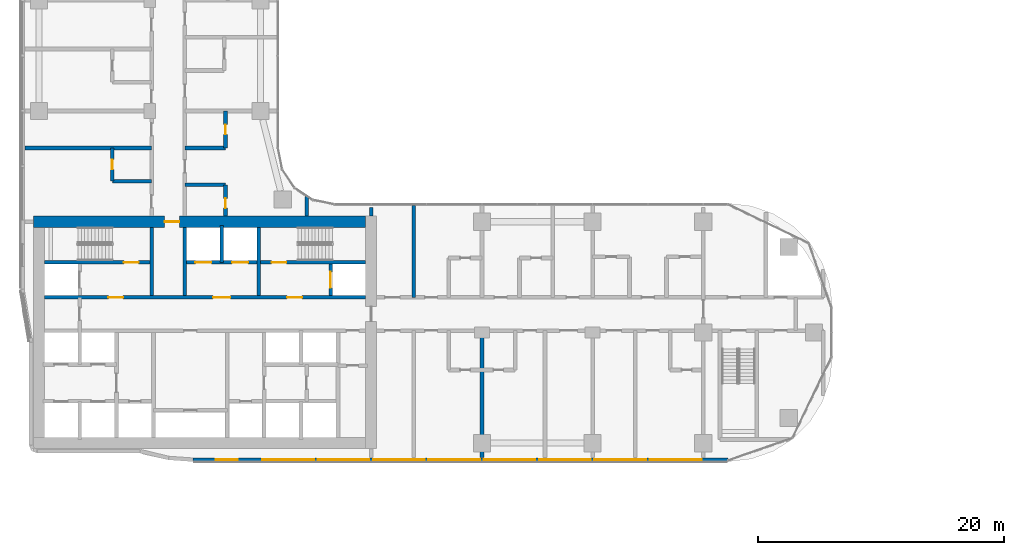
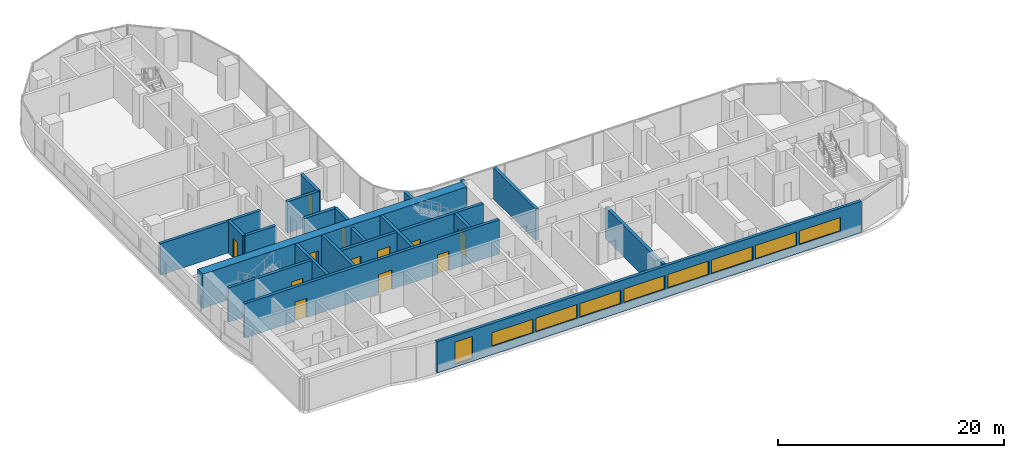
# One storey, part 17 of 33: 21 walls, 12 doors, 9 windows, 21 openings.
"""IFC4 building model written with IfcOpenShell, lengths in metres."""

import ifcopenshell
import ifcopenshell.guid

model = None  # the IFC model being written
_history = None  # IfcOwnerHistory: only IFC2X3 demands one
_inside = {}  # id of a spatial element -> (the spatial element, [elements in it])
_under = {}  # id of a project, library or spatial element -> (it, [spatial elements below it])
_declared = {}  # id of a project -> (the project, [libraries it declares])
_typed = {}  # id of a type object -> (the type object, [elements of that type])
_made_of = {}  # id of a material, layer set ... -> (it, [elements and type objects made of it])


def new_model(schema):
    """Start an empty IFC model of exactly this schema.

    Asked for "IFC4X3", IfcOpenShell would pick the latest addendum, in which some entities
    have other attributes; the version numbers below select the first issue.
    IFC2X3 requires an IfcOwnerHistory on every rooted entity: one is made here for all.
    """
    global model, _history
    if schema == "IFC4X3":
        model = ifcopenshell.file(schema_version=(4, 3, 0, 0))
    else:
        model = ifcopenshell.file(schema=schema)
    _inside.clear()
    _under.clear()
    _declared.clear()
    _typed.clear()
    _made_of.clear()
    _history = None
    if model.schema == "IFC2X3":
        org = make("IfcOrganization", Name="unknown")
        user = make(
            "IfcPersonAndOrganization",
            ThePerson=make("IfcPerson", FamilyName="unknown"),
            TheOrganization=org,
        )
        app = make(
            "IfcApplication",
            ApplicationDeveloper=org,
            Version="unknown",
            ApplicationFullName="unknown",
            ApplicationIdentifier="unknown",
        )
        _history = make(
            "IfcOwnerHistory",
            OwningUser=user,
            OwningApplication=app,
            ChangeAction="ADDED",
            CreationDate=0,
        )
    return model


def make(cls, **values):
    """One entity of the class cls with the attributes given. An attribute that is None is left unset."""
    return model.create_entity(
        cls, **{name: value for name, value in values.items() if value is not None}
    )


def rooted(cls, **values):
    """An entity with a GlobalId (a new one), such as an element, a storey or a relation."""
    return make(cls, GlobalId=ifcopenshell.guid.new(), OwnerHistory=_history, **values)


def si_unit(unit_type, name, prefix=None):
    """IfcSIUnit, for example si_unit("LENGTHUNIT", "METRE", prefix="MILLI")."""
    return make("IfcSIUnit", UnitType=unit_type, Prefix=prefix, Name=name)


def assignment(units):
    """IfcUnitAssignment: the units of a project."""
    return None if units is None else make("IfcUnitAssignment", Units=units)


def point(xyz):
    """IfcCartesianPoint."""
    return None if xyz is None else make("IfcCartesianPoint", Coordinates=xyz)


def direction(xyz):
    """IfcDirection."""
    return None if xyz is None else make("IfcDirection", DirectionRatios=xyz)


def frame(location, z_axis=None, x_axis=None):
    """IfcAxis2Placement3D, a coordinate frame: its origin and axes. An axis left out is left unset."""
    return make(
        "IfcAxis2Placement3D",
        Location=point(location),
        Axis=direction(z_axis),
        RefDirection=direction(x_axis),
    )


def frame_2d(location, x_axis=None):
    """IfcAxis2Placement2D, a coordinate frame in the plane: its origin and x axis."""
    return make(
        "IfcAxis2Placement2D", Location=point(location), RefDirection=direction(x_axis)
    )


def origin():
    """The frame at (0, 0, 0) with its axes left unset."""
    return frame((0.0, 0.0, 0.0))


def place(relative_to, where):
    """IfcLocalPlacement: puts the frame where relative to a parent placement (None: the world)."""
    return make(
        "IfcLocalPlacement", PlacementRelTo=relative_to, RelativePlacement=where
    )


def context(
    kind, dimensions, precision=None, world=None, true_north=None, identifier=None
):
    """IfcGeometricRepresentationContext, for example the 3D "Model" context."""
    return make(
        "IfcGeometricRepresentationContext",
        ContextIdentifier=identifier,
        ContextType=kind,
        CoordinateSpaceDimension=dimensions,
        Precision=precision,
        WorldCoordinateSystem=world,
        TrueNorth=true_north,
    )


def subcontext(parent, identifier, kind, view, scale=None):
    """IfcGeometricRepresentationSubContext, for example "Body" below "Model"."""
    return make(
        "IfcGeometricRepresentationSubContext",
        ContextIdentifier=identifier,
        ContextType=kind,
        ParentContext=parent,
        TargetScale=scale,
        TargetView=view,
    )


def project(units=None, contexts=None):
    """IfcProject with its units and contexts."""
    return rooted(
        "IfcProject",
        Name="project",
        RepresentationContexts=contexts,
        UnitsInContext=assignment(units),
    )


def spatial(cls, under=None, at=None, **own):
    """A site, building, storey or space (cls), placed at a placement, below another one or the project."""
    s = rooted(cls, ObjectPlacement=at, **own)
    if under is not None:
        _under.setdefault(under.id(), (under, []))[1].append(s)
    return s


def profile(cls, at=None, kind="AREA", **sizes):
    """A parametric profile (cls). Its sizes go by their IFC names, for example OverallWidth=200.0."""
    return make(cls, ProfileType=kind, Position=at, **sizes)


def rectangle(**sizes):
    """IfcRectangleProfileDef."""
    return profile("IfcRectangleProfileDef", **sizes)


def extrude(swept, where, along, depth):
    """IfcExtrudedAreaSolid: the profile swept, set in the frame where, extruded along a direction by depth."""
    return make(
        "IfcExtrudedAreaSolid",
        SweptArea=swept,
        Position=where,
        ExtrudedDirection=direction(along),
        Depth=depth,
    )


def shape(context_of_items, identifier, shape_type, items):
    """IfcShapeRepresentation: the items that make up one representation, for example the "Body"."""
    return make(
        "IfcShapeRepresentation",
        ContextOfItems=context_of_items,
        RepresentationIdentifier=identifier,
        RepresentationType=shape_type,
        Items=items,
    )


def material(Name=None, Category=None):
    """IfcMaterial."""
    return make("IfcMaterial", Name=Name, Category=Category)


def layer(
    of_material, thickness, ventilated=None, Name=None, Category=None, Priority=None
):
    """IfcMaterialLayer: one layer of a wall or slab, of a material (None: an air gap)."""
    return make(
        "IfcMaterialLayer",
        Material=of_material,
        LayerThickness=thickness,
        IsVentilated=ventilated,
        Name=Name,
        Category=Category,
        Priority=Priority,
    )


def layer_set(layers, Name=None):
    """IfcMaterialLayerSet."""
    return make("IfcMaterialLayerSet", MaterialLayers=layers, LayerSetName=Name)


def made_of(thing, what):
    """Note that an element or type object is made of a material, layer set ...; save() writes the relation."""
    if what is not None:
        _made_of.setdefault(what.id(), (what, []))[1].append(thing)
    return thing


def type_object(cls, material=None, **own):
    """A type object (cls), such as IfcWallType, which elements share."""
    return made_of(rooted(cls, **own), material)


def element(
    cls,
    number,
    at=None,
    inside=None,
    cuts=None,
    type_object=None,
    material=None,
    context=None,
    identifier="Body",
    shape_type=None,
    held_by="IfcProductDefinitionShape",
    body=None,
    shapes=None,
    **own,
):
    """One element of the class cls, such as IfcWall. Its Tag is "e" and its number.

    at: its placement. inside: the storey or other place that contains it. cuts: it is an
    opening in that element (IfcRelVoidsElement). A single representation is given by context,
    identifier, shape_type and body (its items); several are given by shapes. held_by: the class
    of the entity that holds the representations. save() writes the other relations.
    """
    e = rooted(cls, Tag="e%d" % number, ObjectPlacement=at, **own)
    if body is not None:
        shapes = [shape(context, identifier, shape_type, body)]
    if shapes is not None:
        e.Representation = make(held_by, Representations=shapes)
    if inside is not None:
        _inside.setdefault(inside.id(), (inside, []))[1].append(e)
    if cuts is not None:
        rooted(
            "IfcRelVoidsElement", RelatingBuildingElement=cuts, RelatedOpeningElement=e
        )
    if type_object is not None:
        _typed.setdefault(type_object.id(), (type_object, []))[1].append(e)
    return made_of(e, material)


def fill(opening, filler):
    """IfcRelFillsElement: the door or window that sits in an opening."""
    return rooted(
        "IfcRelFillsElement",
        RelatingOpeningElement=opening,
        RelatedBuildingElement=filler,
    )


def aggregate(whole, parts):
    """IfcRelAggregates: a whole, such as a stair, and the parts it consists of."""
    return rooted("IfcRelAggregates", RelatingObject=whole, RelatedObjects=parts)


def save(model, path):
    """Write the relations noted so far, then the file.

    IfcRelAggregates (storeys below a building ...), IfcRelContainedInSpatialStructure (elements
    in a storey), IfcRelDefinesByType, IfcRelAssociatesMaterial and IfcRelDeclares: one each for
    every whole, place, type object, material and project.
    """
    for whole, parts in _under.values():
        aggregate(whole, parts)
    for where, things in _inside.values():
        rooted(
            "IfcRelContainedInSpatialStructure",
            RelatedElements=things,
            RelatingStructure=where,
        )
    for kind, things in _typed.values():
        rooted("IfcRelDefinesByType", RelatedObjects=things, RelatingType=kind)
    for what, things in _made_of.values():
        rooted("IfcRelAssociatesMaterial", RelatedObjects=things, RelatingMaterial=what)
    for by, libraries in _declared.values():
        rooted("IfcRelDeclares", RelatingContext=by, RelatedDefinitions=libraries)
    model.write(path)


model = new_model("IFC4")

# Units and contexts
model_context = context("Model", 3, precision=1e-05, world=origin(), true_north=direction((0.0, 1.0)))
body_context = subcontext(model_context, "Body", "Model", "MODEL_VIEW")
ifc_project = project(units=[si_unit("LENGTHUNIT", "METRE"), si_unit("AREAUNIT", "SQUARE_METRE"), si_unit("VOLUMEUNIT", "CUBIC_METRE"), si_unit("PLANEANGLEUNIT", "RADIAN"), si_unit("MASSUNIT", "GRAM", prefix="KILO")], contexts=[model_context])

# Site, building, storey
site_placement = place(None, origin())
site = spatial("IfcSite", under=ifc_project, at=site_placement, CompositionType="ELEMENT")
building_placement = place(site_placement, origin())
building = spatial("IfcBuilding", under=site, at=building_placement, Name="Ogive Portal Towers", CompositionType="ELEMENT")
storey_placement = place(building_placement, frame((0.0, 0.0, 77.89990234375)))
storey = spatial("IfcBuildingStorey", under=building, at=storey_placement, Name="L18", CompositionType="ELEMENT", Elevation=77.89990234375)

# Wall, openings, doors
ifc_material_1 = material(Name="Concrete C60/75", Category="concrete")
ifc_layer_1 = layer(ifc_material_1, 0.300048828125)
ifc_layer_set_1 = layer_set([ifc_layer_1], Name="CORE WALL 300 C60")
wall_type_1 = type_object("IfcWallType", Name="CORE WALL 300 C60", PredefinedType="SHEAR", material=ifc_layer_set_1)
wall_1_placement = place(storey_placement, frame((31.949951171875, 33.35009765625, 0.0), z_axis=(0.0, 0.0, 1.0), x_axis=(1.0, 0.0, 0.0)))
wall_1 = element("IfcWall", 1, at=wall_1_placement, inside=storey, type_object=wall_type_1, Name="Core wall Y2 L18", PredefinedType="SHEAR", context=body_context, shape_type="SweptSolid", body=[
    extrude(rectangle(XDim=26.10009765625, YDim=0.300048828125, at=frame_2d((13.050048828125, 0.0))), origin(), (0.0, 0.0, 1.0), 3.7001953125),
])
opening_1_placement = place(wall_1_placement, frame((13.699951171875, 0.0, 0.0)))
opening_1 = element("IfcOpeningElement", 2, at=opening_1_placement, cuts=wall_1, Name="Opening D05-002", PredefinedType="OPENING", context=body_context, shape_type="SweptSolid", body=[
    extrude(rectangle(XDim=1.39990234375, YDim=2.10009765625, at=frame_2d((0.699951171875, 1.050048828125))), frame((0.0, 0.16015625, 0.0), z_axis=(0.0, -1.0, 0.0), x_axis=(1.0, 0.0, 0.0)), (0.0, 0.0, 1.0), 0.320068359375),
])
opening_2_placement = place(wall_1_placement, frame((5.175048828125, 0.0, 0.0)))
opening_2 = element("IfcOpeningElement", 3, at=opening_2_placement, cuts=wall_1, Name="Opening D05-003", PredefinedType="OPENING", context=body_context, shape_type="SweptSolid", body=[
    extrude(rectangle(XDim=1.199951171875, YDim=2.10009765625, at=frame_2d((0.60009765625, 1.050048828125))), frame((0.0, 0.16015625, 0.0), z_axis=(0.0, -1.0, 0.0), x_axis=(1.0, 0.0, 0.0)), (0.0, 0.0, 1.0), 0.320068359375),
])
opening_3_placement = place(wall_1_placement, frame((19.72509765625, 0.0, 0.0)))
opening_3 = element("IfcOpeningElement", 4, at=opening_3_placement, cuts=wall_1, Name="Opening D05-004", PredefinedType="OPENING", context=body_context, shape_type="SweptSolid", body=[
    extrude(rectangle(XDim=1.199951171875, YDim=2.10009765625, at=frame_2d((0.60009765625, 1.050048828125))), frame((0.0, 0.16015625, 0.0), z_axis=(0.0, -1.0, 0.0), x_axis=(1.0, 0.0, 0.0)), (0.0, 0.0, 1.0), 0.320068359375),
])
ifc_material_2 = material(Name="Steel fire door", Category="steel")
door_type_1 = type_object("IfcDoorType", Name="DT-SWING-1200x2100-FD90S", OperationType="SINGLE_SWING_LEFT", PredefinedType="DOOR", material=ifc_material_2)
door_1_placement = place(opening_2_placement, origin())
door_1 = element("IfcDoor", 5, at=door_1_placement, inside=storey, type_object=door_type_1, Name="Door D05-003", OperationType="SINGLE_SWING_LEFT", OverallHeight=2.10009765625, OverallWidth=1.199951171875, PredefinedType="DOOR", context=body_context, shape_type="SweptSolid", body=[
    extrude(rectangle(XDim=1.199951171875, YDim=2.10009765625, at=frame_2d((0.60009765625, 1.050048828125))), frame((0.0, 0.02490234375, 0.0), z_axis=(0.0, -1.0, 0.0), x_axis=(1.0, 0.0, 0.0)), (0.0, 0.0, 1.0), 0.050048828125),
])
fill(opening_2, door_1)
door_2_placement = place(opening_3_placement, origin())
door_2 = element("IfcDoor", 6, at=door_2_placement, inside=storey, type_object=door_type_1, Name="Door D05-004", OperationType="SINGLE_SWING_RIGHT", OverallHeight=2.10009765625, OverallWidth=1.199951171875, PredefinedType="DOOR", context=body_context, shape_type="SweptSolid", body=[
    extrude(rectangle(XDim=1.199951171875, YDim=2.10009765625, at=frame_2d((0.60009765625, 1.050048828125))), frame((0.0, 0.02490234375, 0.0), z_axis=(0.0, -1.0, 0.0), x_axis=(1.0, 0.0, 0.0)), (0.0, 0.0, 1.0), 0.050048828125),
])
fill(opening_3, door_2)
door_type_2 = type_object("IfcDoorType", Name="DT-SWING-1400x2100-FD90S", OperationType="SINGLE_SWING_LEFT", PredefinedType="DOOR", material=ifc_material_2)
door_3_placement = place(opening_1_placement, origin())
door_3 = element("IfcDoor", 7, at=door_3_placement, inside=storey, type_object=door_type_2, Name="Door D05-002", OperationType="SINGLE_SWING_RIGHT", OverallHeight=2.10009765625, OverallWidth=1.39990234375, PredefinedType="DOOR", context=body_context, shape_type="SweptSolid", body=[
    extrude(rectangle(XDim=1.39990234375, YDim=2.10009765625, at=frame_2d((0.699951171875, 1.050048828125))), frame((0.0, 0.02490234375, 0.0), z_axis=(0.0, -1.0, 0.0), x_axis=(1.0, 0.0, 0.0)), (0.0, 0.0, 1.0), 0.050048828125),
])
fill(opening_1, door_3)

# Wall, opening, door
wall_2_placement = place(storey_placement, frame((31.949951171875, 36.199951171875, 0.0), z_axis=(0.0, 0.0, 1.0), x_axis=(1.0, 0.0, 0.0)))
wall_2 = element("IfcWall", 8, at=wall_2_placement, inside=storey, type_object=wall_type_1, Name="Core wall Y3a L18", PredefinedType="SHEAR", context=body_context, shape_type="SweptSolid", body=[
    extrude(rectangle(XDim=8.550048828125, YDim=0.300048828125, at=frame_2d((4.27490234375, 0.0))), origin(), (0.0, 0.0, 1.0), 3.7001953125),
])
opening_4_placement = place(wall_2_placement, frame((6.449951171875, 0.0, 0.0)))
opening_4 = element("IfcOpeningElement", 9, at=opening_4_placement, cuts=wall_2, Name="Opening D05-005", PredefinedType="OPENING", context=body_context, shape_type="SweptSolid", body=[
    extrude(rectangle(XDim=1.199951171875, YDim=2.10009765625, at=frame_2d((0.60009765625, 1.050048828125))), frame((0.0, 0.16015625, 0.0), z_axis=(0.0, -1.0, 0.0), x_axis=(1.0, 0.0, 0.0)), (0.0, 0.0, 1.0), 0.320068359375),
])
door_4_placement = place(opening_4_placement, origin())
door_4 = element("IfcDoor", 10, at=door_4_placement, inside=storey, type_object=door_type_1, Name="Door D05-005", OperationType="SINGLE_SWING_RIGHT", OverallHeight=2.10009765625, OverallWidth=1.199951171875, PredefinedType="DOOR", context=body_context, shape_type="SweptSolid", body=[
    extrude(rectangle(XDim=1.199951171875, YDim=2.10009765625, at=frame_2d((0.60009765625, 1.050048828125))), frame((0.0, 0.02490234375, 0.0), z_axis=(0.0, -1.0, 0.0), x_axis=(1.0, 0.0, 0.0)), (0.0, 0.0, 1.0), 0.050048828125),
])
fill(opening_4, door_4)

# Wall, openings, doors
wall_3_placement = place(storey_placement, frame((43.5, 36.199951171875, 0.0), z_axis=(0.0, 0.0, 1.0), x_axis=(1.0, 0.0, 0.0)))
wall_3 = element("IfcWall", 11, at=wall_3_placement, inside=storey, type_object=wall_type_1, Name="Core wall Y3b L18", PredefinedType="SHEAR", context=body_context, shape_type="SweptSolid", body=[
    extrude(rectangle(XDim=14.550048828125, YDim=0.300048828125, at=frame_2d((7.27490234375, 0.0))), origin(), (0.0, 0.0, 1.0), 3.7001953125),
])
opening_5_placement = place(wall_3_placement, frame((6.89990234375, 0.0, 0.0)))
opening_5 = element("IfcOpeningElement", 12, at=opening_5_placement, cuts=wall_3, Name="Opening D05-006", PredefinedType="OPENING", context=body_context, shape_type="SweptSolid", body=[
    extrude(rectangle(XDim=1.199951171875, YDim=2.10009765625, at=frame_2d((0.60009765625, 1.050048828125))), frame((0.0, 0.16015625, 0.0), z_axis=(0.0, -1.0, 0.0), x_axis=(1.0, 0.0, 0.0)), (0.0, 0.0, 1.0), 0.320068359375),
])
opening_6_placement = place(wall_3_placement, frame((0.699951171875, 0.0, 0.0)))
opening_6 = element("IfcOpeningElement", 13, at=opening_6_placement, cuts=wall_3, Name="Opening D05-017", PredefinedType="OPENING", context=body_context, shape_type="SweptSolid", body=[
    extrude(rectangle(XDim=1.300048828125, YDim=2.39990234375, at=frame_2d((0.64990234375, 1.199951171875))), frame((0.0, 0.16015625, 0.0), z_axis=(0.0, -1.0, 0.0), x_axis=(1.0, 0.0, 0.0)), (0.0, 0.0, 1.0), 0.320068359375),
])
opening_7_placement = place(wall_3_placement, frame((3.699951171875, 0.0, 0.0)))
opening_7 = element("IfcOpeningElement", 14, at=opening_7_placement, cuts=wall_3, Name="Opening D05-018", PredefinedType="OPENING", context=body_context, shape_type="SweptSolid", body=[
    extrude(rectangle(XDim=1.300048828125, YDim=2.39990234375, at=frame_2d((0.64990234375, 1.199951171875))), frame((0.0, 0.16015625, 0.0), z_axis=(0.0, -1.0, 0.0), x_axis=(1.0, 0.0, 0.0)), (0.0, 0.0, 1.0), 0.320068359375),
])
ifc_material_3 = material(Name="Stainless steel", Category="steel")
door_type_3 = type_object("IfcDoorType", Name="DT-LD-1300x2400", OperationType="SLIDING_TO_LEFT", PredefinedType="DOOR", material=ifc_material_3)
door_5_placement = place(opening_6_placement, origin())
door_5 = element("IfcDoor", 15, at=door_5_placement, inside=storey, type_object=door_type_3, Name="Door D05-017", OperationType="SLIDING_TO_LEFT", OverallHeight=2.39990234375, OverallWidth=1.300048828125, PredefinedType="DOOR", context=body_context, shape_type="SweptSolid", body=[
    extrude(rectangle(XDim=1.300048828125, YDim=2.39990234375, at=frame_2d((0.64990234375, 1.199951171875))), frame((0.0, 0.02490234375, 0.0), z_axis=(0.0, -1.0, 0.0), x_axis=(1.0, 0.0, 0.0)), (0.0, 0.0, 1.0), 0.050048828125),
])
fill(opening_6, door_5)
door_6_placement = place(opening_7_placement, origin())
door_6 = element("IfcDoor", 16, at=door_6_placement, inside=storey, type_object=door_type_3, Name="Door D05-018", OperationType="SLIDING_TO_LEFT", OverallHeight=2.39990234375, OverallWidth=1.300048828125, PredefinedType="DOOR", context=body_context, shape_type="SweptSolid", body=[
    extrude(rectangle(XDim=1.300048828125, YDim=2.39990234375, at=frame_2d((0.64990234375, 1.199951171875))), frame((0.0, 0.02490234375, 0.0), z_axis=(0.0, -1.0, 0.0), x_axis=(1.0, 0.0, 0.0)), (0.0, 0.0, 1.0), 0.050048828125),
])
fill(opening_7, door_6)
door_7_placement = place(opening_5_placement, origin())
door_7 = element("IfcDoor", 17, at=door_7_placement, inside=storey, type_object=door_type_1, Name="Door D05-006", OperationType="SINGLE_SWING_LEFT", OverallHeight=2.10009765625, OverallWidth=1.199951171875, PredefinedType="DOOR", context=body_context, shape_type="SweptSolid", body=[
    extrude(rectangle(XDim=1.199951171875, YDim=2.10009765625, at=frame_2d((0.60009765625, 1.050048828125))), frame((0.0, 0.02490234375, 0.0), z_axis=(0.0, -1.0, 0.0), x_axis=(1.0, 0.0, 0.0)), (0.0, 0.0, 1.0), 0.050048828125),
])
fill(opening_5, door_7)

# Walls
for number, where, z_axis, x_axis, name in (
    (18, (40.64990234375, 33.5, 0.0), (0.0, 0.0, 1.0), (0.0, 1.0, 0.0), "Core wall X6 L18"),
    (19, (43.35009765625, 33.5, 0.0), (0.0, 0.0, 1.0), (0.0, 1.0, 0.0), "Core wall X7 L18"),
    (20, (49.35009765625, 33.5, 0.0), (0.0, 0.0, 1.0), (0.0, 1.0, 0.0), "Core wall X9 L18"),
):
    element("IfcWall", number, at=place(storey_placement, frame(where, z_axis=z_axis, x_axis=x_axis)), inside=storey, type_object=wall_type_1, Name=name, PredefinedType="SHEAR", context=body_context, shape_type="SweptSolid", body=[
        extrude(rectangle(XDim=5.550048828125, YDim=0.300048828125, at=frame_2d((2.77490234375, 0.0))), origin(), (0.0, 0.0, 1.0), 3.7001953125),
    ])

# Wall, opening, door
wall_4_placement = place(storey_placement, frame((55.199951171875, 33.5, 0.0), z_axis=(0.0, 0.0, 1.0), x_axis=(0.0, 1.0, 0.0)))
wall_4 = element("IfcWall", 21, at=wall_4_placement, inside=storey, type_object=wall_type_1, Name="Core wall X10 L18", PredefinedType="SHEAR", context=body_context, shape_type="SweptSolid", body=[
    extrude(rectangle(XDim=2.550048828125, YDim=0.300048828125, at=frame_2d((1.27490234375, 0.0))), origin(), (0.0, 0.0, 1.0), 3.7001953125),
])
opening_8_placement = place(wall_4_placement, frame((0.625, 0.0, 0.0)))
opening_8 = element("IfcOpeningElement", 22, at=opening_8_placement, cuts=wall_4, Name="Opening D05-020", PredefinedType="OPENING", context=body_context, shape_type="SweptSolid", body=[
    extrude(rectangle(XDim=1.300048828125, YDim=2.39990234375, at=frame_2d((0.64990234375, 1.199951171875))), frame((0.0, 0.16015625, 0.0), z_axis=(0.0, -1.0, 0.0), x_axis=(1.0, 0.0, 0.0)), (0.0, 0.0, 1.0), 0.320068359375),
])
door_8_placement = place(opening_8_placement, origin())
door_8 = element("IfcDoor", 23, at=door_8_placement, inside=storey, type_object=door_type_3, Name="Door D05-020", OperationType="SLIDING_TO_LEFT", OverallHeight=2.39990234375, OverallWidth=1.300048828125, PredefinedType="DOOR", context=body_context, shape_type="SweptSolid", body=[
    extrude(rectangle(XDim=1.300048828125, YDim=2.39990234375, at=frame_2d((0.64990234375, 1.199951171875))), frame((0.0, 0.02490234375, 0.0), z_axis=(0.0, -1.0, 0.0), x_axis=(1.0, 0.0, 0.0)), (0.0, 0.0, 1.0), 0.050048828125),
])
fill(opening_8, door_8)

ifc_layer_2 = layer(ifc_material_1, 0.89990234375)
ifc_layer_set_2 = layer_set([ifc_layer_2], Name="CORE WALL 900 C60")
wall_type_2 = type_object("IfcWallType", Name="CORE WALL 900 C60", PredefinedType="SHEAR", material=ifc_layer_set_2)
wall_5_placement = place(storey_placement, frame((31.050048828125, 39.5, 0.0), z_axis=(0.0, 0.0, 1.0), x_axis=(1.0, 0.0, 0.0)))
wall_5 = element("IfcWall", 24, at=wall_5_placement, inside=storey, type_object=wall_type_2, Name="Core wall N L18", PredefinedType="SHEAR", context=body_context, shape_type="SweptSolid", body=[
    extrude(rectangle(XDim=27.0, YDim=0.89990234375, at=frame_2d((13.5, 0.0))), origin(), (0.0, 0.0, 1.0), 3.7001953125),
])
opening_9_placement = place(wall_5_placement, frame((10.64990234375, 0.0, 0.0)))
opening_9 = element("IfcOpeningElement", 25, at=opening_9_placement, cuts=wall_5, Name="Opening D05-012", PredefinedType="OPENING", context=body_context, shape_type="SweptSolid", body=[
    extrude(rectangle(XDim=1.199951171875, YDim=2.10009765625, at=frame_2d((0.60009765625, 1.050048828125))), frame((0.0, 0.4599609375, 0.0), z_axis=(0.0, -1.0, 0.0), x_axis=(1.0, 0.0, 0.0)), (0.0, 0.0, 1.0), 0.919921875),
])
door_9_placement = place(opening_9_placement, origin())
door_9 = element("IfcDoor", 26, at=door_9_placement, inside=storey, type_object=door_type_1, Name="Door D05-012", OperationType="SINGLE_SWING_RIGHT", OverallHeight=2.10009765625, OverallWidth=1.199951171875, PredefinedType="DOOR", context=body_context, shape_type="SweptSolid", body=[
    extrude(rectangle(XDim=1.199951171875, YDim=2.10009765625, at=frame_2d((0.60009765625, 1.050048828125))), frame((0.0, 0.02490234375, 0.0), z_axis=(0.0, -1.0, 0.0), x_axis=(1.0, 0.0, 0.0)), (0.0, 0.0, 1.0), 0.050048828125),
])
fill(opening_9, door_9)

# Wall, openings, windows
ifc_material_4 = material(Name="Limestone cladding on lightweight block wall", Category="masonry")
ifc_layer_3 = layer(ifc_material_4, 0.300048828125)
ifc_layer_set_3 = layer_set([ifc_layer_3], Name="EXTERNAL WALL 300 STONE")
wall_type_3 = type_object("IfcWallType", Name="EXTERNAL WALL 300 STONE", PredefinedType="SOLIDWALL", material=ifc_layer_set_3)
wall_6_placement = place(storey_placement, frame((44.0107421875, 20.14990234375, 0.0), z_axis=(0.0, 0.0, 1.0), x_axis=(1.0, 0.0, 0.0)))
wall_6 = element("IfcWall", 27, at=wall_6_placement, inside=storey, type_object=wall_type_3, Name="A:L18:f06:r0:wall", PredefinedType="SOLIDWALL", context=body_context, shape_type="SweptSolid", body=[
    extrude(rectangle(XDim=43.4755859375, YDim=0.300048828125, at=frame_2d((21.73779296875, 0.0))), origin(), (0.0, 0.0, 1.0), 3.400146484375),
])
opening_10_placement = place(wall_6_placement, frame((1.8447265625, 0.0, 0.300048828125)))
opening_10 = element("IfcOpeningElement", 28, at=opening_10_placement, cuts=wall_6, Name="Opening WN10", PredefinedType="OPENING", context=body_context, shape_type="SweptSolid", body=[
    extrude(rectangle(XDim=1.800048828125, YDim=2.39990234375, at=frame_2d((0.89990234375, 1.199951171875))), frame((0.0, 0.16015625, 0.0), z_axis=(0.0, -1.0, 0.0), x_axis=(1.0, 0.0, 0.0)), (0.0, 0.0, 1.0), 0.320068359375),
])
opening_11_placement = place(wall_6_placement, frame((5.639404296875, 0.0, 0.89990234375)))
opening_11 = element("IfcOpeningElement", 29, at=opening_11_placement, cuts=wall_6, Name="Opening WN11", PredefinedType="OPENING", context=body_context, shape_type="SweptSolid", body=[
    extrude(rectangle(XDim=4.199951171875, YDim=1.5, at=frame_2d((2.10009765625, 0.75))), frame((0.0, 0.16015625, 0.0), z_axis=(0.0, -1.0, 0.0), x_axis=(1.0, 0.0, 0.0)), (0.0, 0.0, 1.0), 0.320068359375),
])
opening_12_placement = place(wall_6_placement, frame((10.139404296875, 0.0, 0.89990234375)))
opening_12 = element("IfcOpeningElement", 30, at=opening_12_placement, cuts=wall_6, Name="Opening WN11", PredefinedType="OPENING", context=body_context, shape_type="SweptSolid", body=[
    extrude(rectangle(XDim=4.199951171875, YDim=1.5, at=frame_2d((2.10009765625, 0.75))), frame((0.0, 0.16015625, 0.0), z_axis=(0.0, -1.0, 0.0), x_axis=(1.0, 0.0, 0.0)), (0.0, 0.0, 1.0), 0.320068359375),
])
opening_13_placement = place(wall_6_placement, frame((14.639404296875, 0.0, 0.89990234375)))
opening_13 = element("IfcOpeningElement", 31, at=opening_13_placement, cuts=wall_6, Name="Opening WN11", PredefinedType="OPENING", context=body_context, shape_type="SweptSolid", body=[
    extrude(rectangle(XDim=4.199951171875, YDim=1.5, at=frame_2d((2.10009765625, 0.75))), frame((0.0, 0.16015625, 0.0), z_axis=(0.0, -1.0, 0.0), x_axis=(1.0, 0.0, 0.0)), (0.0, 0.0, 1.0), 0.320068359375),
])
opening_14_placement = place(wall_6_placement, frame((19.139404296875, 0.0, 0.89990234375)))
opening_14 = element("IfcOpeningElement", 32, at=opening_14_placement, cuts=wall_6, Name="Opening WN11", PredefinedType="OPENING", context=body_context, shape_type="SweptSolid", body=[
    extrude(rectangle(XDim=4.199951171875, YDim=1.5, at=frame_2d((2.10009765625, 0.75))), frame((0.0, 0.16015625, 0.0), z_axis=(0.0, -1.0, 0.0), x_axis=(1.0, 0.0, 0.0)), (0.0, 0.0, 1.0), 0.320068359375),
])
opening_15_placement = place(wall_6_placement, frame((23.639404296875, 0.0, 0.89990234375)))
opening_15 = element("IfcOpeningElement", 33, at=opening_15_placement, cuts=wall_6, Name="Opening WN11", PredefinedType="OPENING", context=body_context, shape_type="SweptSolid", body=[
    extrude(rectangle(XDim=4.199951171875, YDim=1.5, at=frame_2d((2.10009765625, 0.75))), frame((0.0, 0.16015625, 0.0), z_axis=(0.0, -1.0, 0.0), x_axis=(1.0, 0.0, 0.0)), (0.0, 0.0, 1.0), 0.320068359375),
])
opening_16_placement = place(wall_6_placement, frame((28.139404296875, 0.0, 0.89990234375)))
opening_16 = element("IfcOpeningElement", 34, at=opening_16_placement, cuts=wall_6, Name="Opening WN11", PredefinedType="OPENING", context=body_context, shape_type="SweptSolid", body=[
    extrude(rectangle(XDim=4.199951171875, YDim=1.5, at=frame_2d((2.10009765625, 0.75))), frame((0.0, 0.16015625, 0.0), z_axis=(0.0, -1.0, 0.0), x_axis=(1.0, 0.0, 0.0)), (0.0, 0.0, 1.0), 0.320068359375),
])
opening_17_placement = place(wall_6_placement, frame((32.639404296875, 0.0, 0.89990234375)))
opening_17 = element("IfcOpeningElement", 35, at=opening_17_placement, cuts=wall_6, Name="Opening WN11", PredefinedType="OPENING", context=body_context, shape_type="SweptSolid", body=[
    extrude(rectangle(XDim=4.199951171875, YDim=1.5, at=frame_2d((2.10009765625, 0.75))), frame((0.0, 0.16015625, 0.0), z_axis=(0.0, -1.0, 0.0), x_axis=(1.0, 0.0, 0.0)), (0.0, 0.0, 1.0), 0.320068359375),
])
opening_18_placement = place(wall_6_placement, frame((37.139404296875, 0.0, 0.89990234375)))
opening_18 = element("IfcOpeningElement", 36, at=opening_18_placement, cuts=wall_6, Name="Opening WN11", PredefinedType="OPENING", context=body_context, shape_type="SweptSolid", body=[
    extrude(rectangle(XDim=4.199951171875, YDim=1.5, at=frame_2d((2.10009765625, 0.75))), frame((0.0, 0.16015625, 0.0), z_axis=(0.0, -1.0, 0.0), x_axis=(1.0, 0.0, 0.0)), (0.0, 0.0, 1.0), 0.320068359375),
])
ifc_material_5 = material(Name="Glass, clear low-iron insulated glazing", Category="glass")
window_type_1 = type_object("IfcWindowType", Name="WINDOW RIBBON 4200x1500", PartitioningType="TRIPLE_PANEL_VERTICAL", PredefinedType="WINDOW", material=ifc_material_5)
window_1_placement = place(opening_11_placement, origin())
window_1 = element("IfcWindow", 37, at=window_1_placement, inside=storey, type_object=window_type_1, Name="A:L18:f06:r0:w1", OverallHeight=1.5, OverallWidth=4.199951171875, PartitioningType="SINGLE_PANEL", PredefinedType="WINDOW", context=body_context, shape_type="SweptSolid", body=[
    extrude(rectangle(XDim=4.199951171875, YDim=1.5, at=frame_2d((2.10009765625, 0.75))), frame((0.0, 0.030029296875, 0.0), z_axis=(0.0, -1.0, 0.0), x_axis=(1.0, 0.0, 0.0)), (0.0, 0.0, 1.0), 0.06005859375),
])
fill(opening_11, window_1)
window_2_placement = place(opening_12_placement, origin())
window_2 = element("IfcWindow", 38, at=window_2_placement, inside=storey, type_object=window_type_1, Name="A:L18:f06:r0:w2", OverallHeight=1.5, OverallWidth=4.199951171875, PartitioningType="SINGLE_PANEL", PredefinedType="WINDOW", context=body_context, shape_type="SweptSolid", body=[
    extrude(rectangle(XDim=4.199951171875, YDim=1.5, at=frame_2d((2.10009765625, 0.75))), frame((0.0, 0.030029296875, 0.0), z_axis=(0.0, -1.0, 0.0), x_axis=(1.0, 0.0, 0.0)), (0.0, 0.0, 1.0), 0.06005859375),
])
fill(opening_12, window_2)
window_3_placement = place(opening_13_placement, origin())
window_3 = element("IfcWindow", 39, at=window_3_placement, inside=storey, type_object=window_type_1, Name="A:L18:f06:r0:w3", OverallHeight=1.5, OverallWidth=4.199951171875, PartitioningType="SINGLE_PANEL", PredefinedType="WINDOW", context=body_context, shape_type="SweptSolid", body=[
    extrude(rectangle(XDim=4.199951171875, YDim=1.5, at=frame_2d((2.10009765625, 0.75))), frame((0.0, 0.030029296875, 0.0), z_axis=(0.0, -1.0, 0.0), x_axis=(1.0, 0.0, 0.0)), (0.0, 0.0, 1.0), 0.06005859375),
])
fill(opening_13, window_3)
window_4_placement = place(opening_14_placement, origin())
window_4 = element("IfcWindow", 40, at=window_4_placement, inside=storey, type_object=window_type_1, Name="A:L18:f06:r0:w4", OverallHeight=1.5, OverallWidth=4.199951171875, PartitioningType="SINGLE_PANEL", PredefinedType="WINDOW", context=body_context, shape_type="SweptSolid", body=[
    extrude(rectangle(XDim=4.199951171875, YDim=1.5, at=frame_2d((2.10009765625, 0.75))), frame((0.0, 0.030029296875, 0.0), z_axis=(0.0, -1.0, 0.0), x_axis=(1.0, 0.0, 0.0)), (0.0, 0.0, 1.0), 0.06005859375),
])
fill(opening_14, window_4)
window_5_placement = place(opening_15_placement, origin())
window_5 = element("IfcWindow", 41, at=window_5_placement, inside=storey, type_object=window_type_1, Name="A:L18:f06:r0:w5", OverallHeight=1.5, OverallWidth=4.199951171875, PartitioningType="SINGLE_PANEL", PredefinedType="WINDOW", context=body_context, shape_type="SweptSolid", body=[
    extrude(rectangle(XDim=4.199951171875, YDim=1.5, at=frame_2d((2.10009765625, 0.75))), frame((0.0, 0.030029296875, 0.0), z_axis=(0.0, -1.0, 0.0), x_axis=(1.0, 0.0, 0.0)), (0.0, 0.0, 1.0), 0.06005859375),
])
fill(opening_15, window_5)
window_6_placement = place(opening_16_placement, origin())
window_6 = element("IfcWindow", 42, at=window_6_placement, inside=storey, type_object=window_type_1, Name="A:L18:f06:r0:w6", OverallHeight=1.5, OverallWidth=4.199951171875, PartitioningType="SINGLE_PANEL", PredefinedType="WINDOW", context=body_context, shape_type="SweptSolid", body=[
    extrude(rectangle(XDim=4.199951171875, YDim=1.5, at=frame_2d((2.10009765625, 0.75))), frame((0.0, 0.030029296875, 0.0), z_axis=(0.0, -1.0, 0.0), x_axis=(1.0, 0.0, 0.0)), (0.0, 0.0, 1.0), 0.06005859375),
])
fill(opening_16, window_6)
window_7_placement = place(opening_17_placement, origin())
window_7 = element("IfcWindow", 43, at=window_7_placement, inside=storey, type_object=window_type_1, Name="A:L18:f06:r0:w7", OverallHeight=1.5, OverallWidth=4.199951171875, PartitioningType="SINGLE_PANEL", PredefinedType="WINDOW", context=body_context, shape_type="SweptSolid", body=[
    extrude(rectangle(XDim=4.199951171875, YDim=1.5, at=frame_2d((2.10009765625, 0.75))), frame((0.0, 0.030029296875, 0.0), z_axis=(0.0, -1.0, 0.0), x_axis=(1.0, 0.0, 0.0)), (0.0, 0.0, 1.0), 0.06005859375),
])
fill(opening_17, window_7)
window_8_placement = place(opening_18_placement, origin())
window_8 = element("IfcWindow", 44, at=window_8_placement, inside=storey, type_object=window_type_1, Name="A:L18:f06:r0:w8", OverallHeight=1.5, OverallWidth=4.199951171875, PartitioningType="SINGLE_PANEL", PredefinedType="WINDOW", context=body_context, shape_type="SweptSolid", body=[
    extrude(rectangle(XDim=4.199951171875, YDim=1.5, at=frame_2d((2.10009765625, 0.75))), frame((0.0, 0.030029296875, 0.0), z_axis=(0.0, -1.0, 0.0), x_axis=(1.0, 0.0, 0.0)), (0.0, 0.0, 1.0), 0.06005859375),
])
fill(opening_18, window_8)
window_type_2 = type_object("IfcWindowType", Name="WINDOW SUITE CORNER 1800x2400", PartitioningType="DOUBLE_PANEL_VERTICAL", PredefinedType="WINDOW", material=ifc_material_5)
window_9_placement = place(opening_10_placement, origin())
window_9 = element("IfcWindow", 45, at=window_9_placement, inside=storey, type_object=window_type_2, Name="A:L18:f06:r0:w0", OverallHeight=2.39990234375, OverallWidth=1.800048828125, PartitioningType="SINGLE_PANEL", PredefinedType="WINDOW", context=body_context, shape_type="SweptSolid", body=[
    extrude(rectangle(XDim=1.800048828125, YDim=2.39990234375, at=frame_2d((0.89990234375, 1.199951171875))), frame((0.0, 0.030029296875, 0.0), z_axis=(0.0, -1.0, 0.0), x_axis=(1.0, 0.0, 0.0)), (0.0, 0.0, 1.0), 0.06005859375),
])
fill(opening_10, window_9)

# Walls
ifc_material_6 = material(Name="Gypsum board partition on steel studs", Category="steel")
ifc_layer_4 = layer(ifc_material_6, 0.300048828125)
ifc_layer_set_4 = layer_set([ifc_layer_4], Name="WT-PART-300-EI 60")
wall_type_4 = type_object("IfcWallType", Name="WT-PART-300-EI 60", PredefinedType="PARTITIONING", material=ifc_layer_set_4)
wall_7_placement = place(storey_placement, frame((43.35009765625, 42.5, 0.0), z_axis=(0.0, 0.0, 1.0), x_axis=(1.0, 0.0, 0.0)))
element("IfcWall", 46, at=wall_7_placement, inside=storey, type_object=wall_type_4, Name="Wall L18:w013", PredefinedType="PARTITIONING", context=body_context, shape_type="SweptSolid", body=[
    extrude(rectangle(XDim=3.2998046875, YDim=0.300048828125, at=frame_2d((1.64990234375, 0.0))), origin(), (0.0, 0.0, 1.0), 3.400146484375),
])
wall_8_placement = place(storey_placement, frame((37.449951171875, 42.800048828125, 0.0), z_axis=(0.0, 0.0, 1.0), x_axis=(1.0, 0.0, 0.0)))
element("IfcWall", 47, at=wall_8_placement, inside=storey, type_object=wall_type_4, Name="Wall L18:w014", PredefinedType="PARTITIONING", context=body_context, shape_type="SweptSolid", body=[
    extrude(rectangle(XDim=3.199951171875, YDim=0.300048828125, at=frame_2d((1.60009765625, 0.0))), origin(), (0.0, 0.0, 1.0), 3.400146484375),
])
wall_9_placement = place(storey_placement, frame((30.35009765625, 45.5, 0.0), z_axis=(0.0, 0.0, 1.0), x_axis=(1.0, 0.0, 0.0)))
element("IfcWall", 48, at=wall_9_placement, inside=storey, type_object=wall_type_4, Name="Wall L18:w015", PredefinedType="PARTITIONING", context=body_context, shape_type="SweptSolid", body=[
    extrude(rectangle(XDim=10.2998046875, YDim=0.300048828125, at=frame_2d((5.14990234375, 0.0))), origin(), (0.0, 0.0, 1.0), 3.400146484375),
])
wall_10_placement = place(storey_placement, frame((43.35009765625, 45.5, 0.0), z_axis=(0.0, 0.0, 1.0), x_axis=(1.0, 0.0, 0.0)))
element("IfcWall", 49, at=wall_10_placement, inside=storey, type_object=wall_type_4, Name="Wall L18:w016", PredefinedType="PARTITIONING", context=body_context, shape_type="SweptSolid", body=[
    extrude(rectangle(XDim=3.2998046875, YDim=0.300048828125, at=frame_2d((1.64990234375, 0.0))), origin(), (0.0, 0.0, 1.0), 3.400146484375),
])

# Wall, opening, door
wall_11_placement = place(storey_placement, frame((37.449951171875, 42.800048828125, 0.0), z_axis=(0.0, 0.0, 1.0), x_axis=(0.0, 1.0, 0.0)))
wall_11 = element("IfcWall", 50, at=wall_11_placement, inside=storey, type_object=wall_type_4, Name="Wall L18:w031", PredefinedType="PARTITIONING", context=body_context, shape_type="SweptSolid", body=[
    extrude(rectangle(XDim=2.699951171875, YDim=0.300048828125, at=frame_2d((1.35009765625, 0.0))), origin(), (0.0, 0.0, 1.0), 3.400146484375),
])
opening_19_placement = place(wall_11_placement, frame((0.949951171875, 0.0, 0.0)))
opening_19 = element("IfcOpeningElement", 51, at=opening_19_placement, cuts=wall_11, Name="Opening D05-047", PredefinedType="OPENING", context=body_context, shape_type="SweptSolid", body=[
    extrude(rectangle(XDim=0.800048828125, YDim=2.10009765625, at=frame_2d((0.39990234375, 1.050048828125))), frame((0.0, 0.16015625, 0.0), z_axis=(0.0, -1.0, 0.0), x_axis=(1.0, 0.0, 0.0)), (0.0, 0.0, 1.0), 0.320068359375),
])
door_type_4 = type_object("IfcDoorType", Name="DT-BATH-800x2100-FD60S", OperationType="SINGLE_SWING_LEFT", PredefinedType="DOOR", material=ifc_material_2)
door_10_placement = place(opening_19_placement, origin())
door_10 = element("IfcDoor", 52, at=door_10_placement, inside=storey, type_object=door_type_4, Name="Door D05-047", OperationType="SINGLE_SWING_LEFT", OverallHeight=2.10009765625, OverallWidth=0.800048828125, PredefinedType="DOOR", context=body_context, shape_type="SweptSolid", body=[
    extrude(rectangle(XDim=0.800048828125, YDim=2.10009765625, at=frame_2d((0.39990234375, 1.050048828125))), frame((0.0, 0.02490234375, 0.0), z_axis=(0.0, -1.0, 0.0), x_axis=(1.0, 0.0, 0.0)), (0.0, 0.0, 1.0), 0.050048828125),
])
fill(opening_19, door_10)

wall_12_placement = place(storey_placement, frame((46.64990234375, 39.949951171875, 0.0), z_axis=(0.0, 0.0, 1.0), x_axis=(0.0, 1.0, 0.0)))
wall_12 = element("IfcWall", 53, at=wall_12_placement, inside=storey, type_object=wall_type_4, Name="Wall L18:w039", PredefinedType="PARTITIONING", context=body_context, shape_type="SweptSolid", body=[
    extrude(rectangle(XDim=2.550048828125, YDim=0.300048828125, at=frame_2d((1.27490234375, 0.0))), origin(), (0.0, 0.0, 1.0), 3.400146484375),
])
opening_20_placement = place(wall_12_placement, frame((0.64990234375, 0.0, 0.0)))
opening_20 = element("IfcOpeningElement", 54, at=opening_20_placement, cuts=wall_12, Name="Opening D05-044", PredefinedType="OPENING", context=body_context, shape_type="SweptSolid", body=[
    extrude(rectangle(XDim=0.800048828125, YDim=2.10009765625, at=frame_2d((0.39990234375, 1.050048828125))), frame((0.0, 0.16015625, 0.0), z_axis=(0.0, -1.0, 0.0), x_axis=(1.0, 0.0, 0.0)), (0.0, 0.0, 1.0), 0.320068359375),
])
door_11_placement = place(opening_20_placement, origin())
door_11 = element("IfcDoor", 55, at=door_11_placement, inside=storey, type_object=door_type_4, Name="Door D05-044", OperationType="SINGLE_SWING_LEFT", OverallHeight=2.10009765625, OverallWidth=0.800048828125, PredefinedType="DOOR", context=body_context, shape_type="SweptSolid", body=[
    extrude(rectangle(XDim=0.800048828125, YDim=2.10009765625, at=frame_2d((0.39990234375, 1.050048828125))), frame((0.0, 0.02490234375, 0.0), z_axis=(0.0, -1.0, 0.0), x_axis=(1.0, 0.0, 0.0)), (0.0, 0.0, 1.0), 0.050048828125),
])
fill(opening_20, door_11)

wall_13_placement = place(storey_placement, frame((46.64990234375, 45.5, 0.0), z_axis=(0.0, 0.0, 1.0), x_axis=(0.0, 1.0, 0.0)))
wall_13 = element("IfcWall", 56, at=wall_13_placement, inside=storey, type_object=wall_type_4, Name="Wall L18:w040", PredefinedType="PARTITIONING", context=body_context, shape_type="SweptSolid", body=[
    extrude(rectangle(XDim=3.0, YDim=0.300048828125, at=frame_2d((1.5, 0.0))), origin(), (0.0, 0.0, 1.0), 3.400146484375),
])
opening_21_placement = place(wall_13_placement, frame((1.10009765625, 0.0, 0.0)))
opening_21 = element("IfcOpeningElement", 57, at=opening_21_placement, cuts=wall_13, Name="Opening D05-045", PredefinedType="OPENING", context=body_context, shape_type="SweptSolid", body=[
    extrude(rectangle(XDim=0.800048828125, YDim=2.10009765625, at=frame_2d((0.39990234375, 1.050048828125))), frame((0.0, 0.16015625, 0.0), z_axis=(0.0, -1.0, 0.0), x_axis=(1.0, 0.0, 0.0)), (0.0, 0.0, 1.0), 0.320068359375),
])
door_12_placement = place(opening_21_placement, origin())
door_12 = element("IfcDoor", 58, at=door_12_placement, inside=storey, type_object=door_type_4, Name="Door D05-045", OperationType="SINGLE_SWING_RIGHT", OverallHeight=2.10009765625, OverallWidth=0.800048828125, PredefinedType="DOOR", context=body_context, shape_type="SweptSolid", body=[
    extrude(rectangle(XDim=0.800048828125, YDim=2.10009765625, at=frame_2d((0.39990234375, 1.050048828125))), frame((0.0, 0.02490234375, 0.0), z_axis=(0.0, -1.0, 0.0), x_axis=(1.0, 0.0, 0.0)), (0.0, 0.0, 1.0), 0.050048828125),
])
fill(opening_21, door_12)

# Walls
wall_14_placement = place(storey_placement, frame((53.25, 39.949951171875, 0.0), z_axis=(0.0, 0.0, 1.0), x_axis=(0.0, 1.0, 0.0)))
element("IfcWall", 59, at=wall_14_placement, inside=storey, type_object=wall_type_4, Name="Wall L18:w042", PredefinedType="PARTITIONING", context=body_context, shape_type="SweptSolid", body=[
    extrude(rectangle(XDim=1.614990234375, YDim=0.300048828125, at=frame_2d((0.8076171875, 0.0))), origin(), (0.0, 0.0, 1.0), 3.400146484375),
])
wall_15_placement = place(storey_placement, frame((58.5, 39.949951171875, 0.0), z_axis=(0.0, 0.0, 1.0), x_axis=(0.0, 1.0, 0.0)))
element("IfcWall", 60, at=wall_15_placement, inside=storey, type_object=wall_type_4, Name="Wall L18:w044", PredefinedType="PARTITIONING", context=body_context, shape_type="SweptSolid", body=[
    extrude(rectangle(XDim=0.699951171875, YDim=0.300048828125, at=frame_2d((0.35009765625, 0.0))), origin(), (0.0, 0.0, 1.0), 3.400146484375),
])
wall_16_placement = place(storey_placement, frame((61.969970703125, 33.35009765625, 0.0), z_axis=(0.0, 0.0, 1.0), x_axis=(0.0, 1.0, 0.0)))
element("IfcWall", 61, at=wall_16_placement, inside=storey, type_object=wall_type_4, Name="Wall L18:w046", PredefinedType="PARTITIONING", context=body_context, shape_type="SweptSolid", body=[
    extrude(rectangle(XDim=7.47998046875, YDim=0.300048828125, at=frame_2d((3.739990234375, 0.0))), origin(), (0.0, 0.0, 1.0), 3.400146484375),
])
wall_17_placement = place(storey_placement, frame((67.5, 20.35009765625, 0.0), z_axis=(0.0, 0.0, 1.0), x_axis=(0.0, 1.0, 0.0)))
element("IfcWall", 62, at=wall_17_placement, inside=storey, type_object=wall_type_4, Name="Wall L18:w049", PredefinedType="PARTITIONING", context=body_context, shape_type="SweptSolid", body=[
    extrude(rectangle(XDim=10.2998046875, YDim=0.300048828125, at=frame_2d((5.14990234375, 0.0))), origin(), (0.0, 0.0, 1.0), 3.400146484375),
])
ifc_material_7 = material(Name="Concrete C40/50", Category="concrete")
ifc_layer_5 = layer(ifc_material_7, 0.300048828125)
ifc_layer_set_5 = layer_set([ifc_layer_5], Name="WT-SHAFT-300")
wall_type_5 = type_object("IfcWallType", Name="WT-SHAFT-300", PredefinedType="SOLIDWALL", material=ifc_layer_set_5)
wall_18_placement = place(storey_placement, frame((46.35009765625, 36.199951171875, 0.0), z_axis=(0.0, 0.0, 1.0), x_axis=(0.0, 1.0, 0.0)))
element("IfcWall", 63, at=wall_18_placement, inside=storey, type_object=wall_type_5, Name="Wall pw:009:L18", PredefinedType="SOLIDWALL", context=body_context, shape_type="SweptSolid", body=[
    extrude(rectangle(XDim=3.0, YDim=0.300048828125, at=frame_2d((1.5, 0.0))), origin(), (0.0, 0.0, 1.0), 3.400146484375),
])

save(model, "model.ifc")
